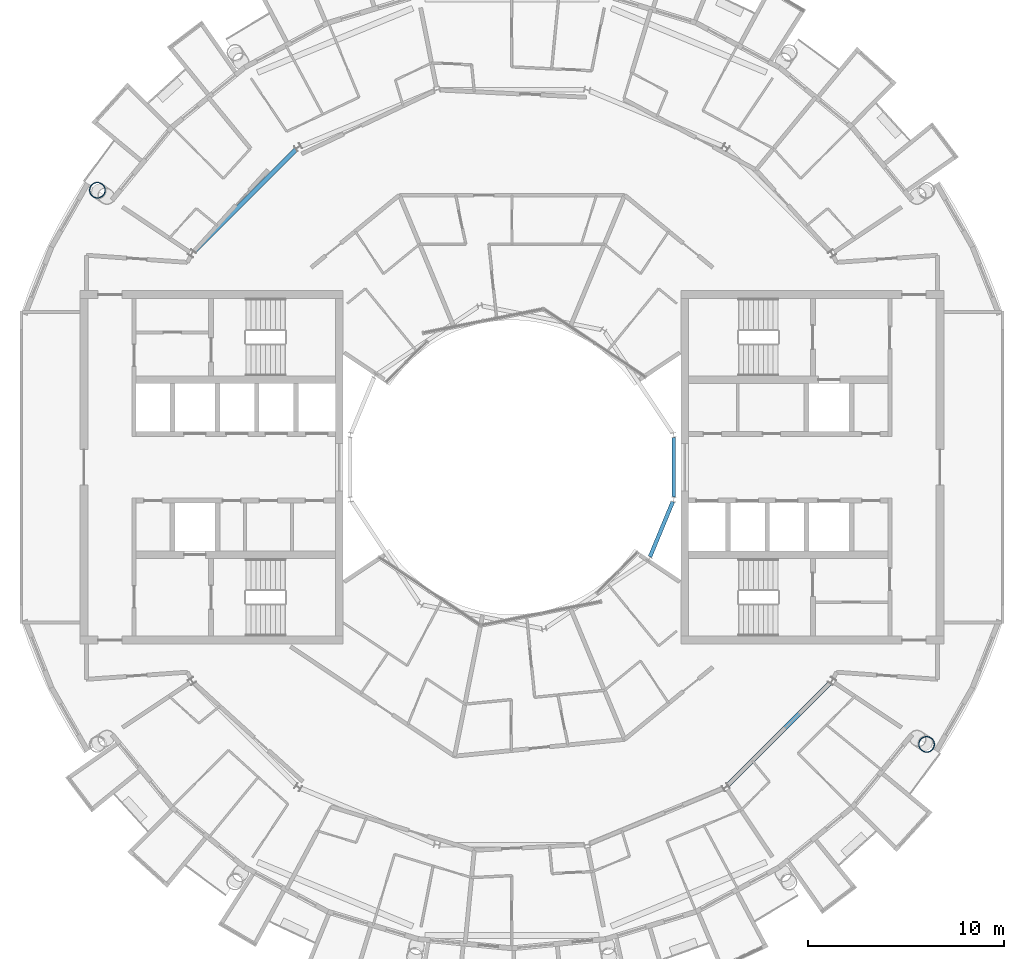
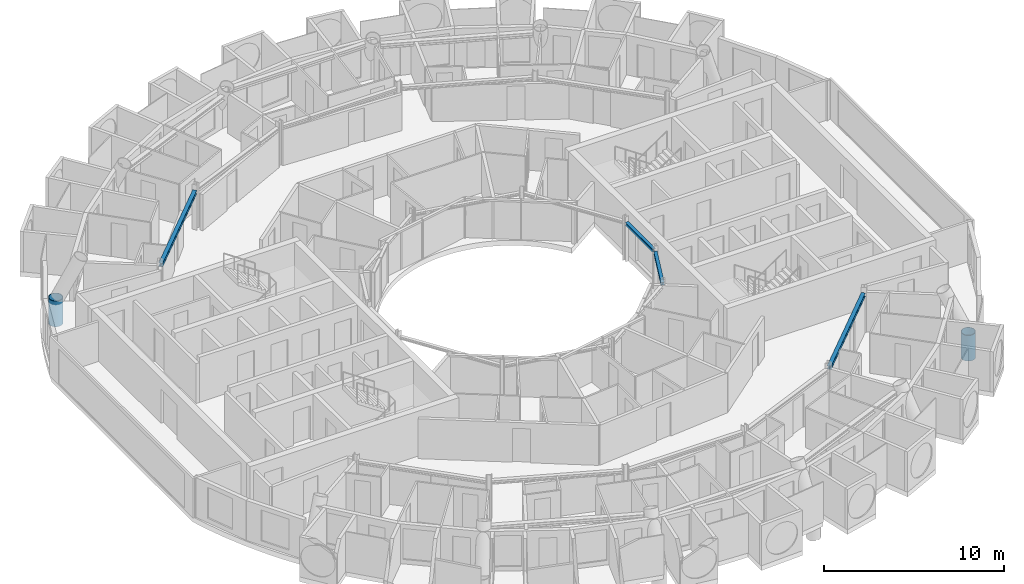
# One storey, part 8 of 27: 4 beams, 2 members.
"""IFC4 building model written with IfcOpenShell, lengths in metres."""

from ifc_helpers import new_model, si_unit, direction, frame, origin, origin_2d, place, context, subcontext, project, spatial, hollow_circle, i_section, extrude, material, material_profile, profile_set, type_object, element, save


model = new_model("IFC4")

# Units and contexts
model_context = context("Model", 3, precision=1e-05, world=origin(), true_north=direction((0.0, 1.0)))
body_context = subcontext(model_context, "Body", "Model", "MODEL_VIEW")
ifc_project = project(units=[si_unit("LENGTHUNIT", "METRE"), si_unit("AREAUNIT", "SQUARE_METRE"), si_unit("VOLUMEUNIT", "CUBIC_METRE"), si_unit("PLANEANGLEUNIT", "RADIAN"), si_unit("MASSUNIT", "GRAM", prefix="KILO")], contexts=[model_context])

# Site, building, storey
site_placement = place(None, origin())
site = spatial("IfcSite", under=ifc_project, at=site_placement, CompositionType="ELEMENT")
building_placement = place(site_placement, origin())
building = spatial("IfcBuilding", under=site, at=building_placement, Name="Maasbend Ring Residences", CompositionType="ELEMENT")
storey_placement = place(building_placement, frame((0.0, 0.0, 243.199951171875)))
storey = spatial("IfcBuildingStorey", under=building, at=storey_placement, Name="L70", CompositionType="ELEMENT", Elevation=243.199951171875)

# Members
ifc_material_1 = material(Name="Steel S460NH", Category="steel")
ifc_material_profile_1 = material_profile(ifc_material_1, hollow_circle(Radius=0.406494140625, WallThickness=0.030029296875, at=origin_2d()), Name="Column node insert CHS 813x30")
ifc_profile_set_1 = profile_set([ifc_material_profile_1], Name="Steel S460NH")
member_type = type_object("IfcMemberType", Name="Column node insert CHS 813x30", PredefinedType="POST", material=ifc_profile_set_1)
for number, where, z_axis, x_axis, name in (
    (1, (-21.119384765625, 14.111572265625, -1.5), (0.0, 0.0, 1.0), (1.0, 0.0, 0.0), "Column node insert R7"),
    (2, (21.119384765625, -14.111572265625, -1.5), (0.0, 0.0, 1.0), (1.0, 0.0, 0.0), "Column node insert R15"),
):
    element("IfcMember", number, at=place(storey_placement, frame(where, z_axis=z_axis, x_axis=x_axis)), inside=storey, type_object=member_type, Name=name, PredefinedType="POST", context=body_context, shape_type="SweptSolid", body=[
        extrude(hollow_circle(Radius=0.406494140625, WallThickness=0.030029296875, at=origin_2d()), origin(), (0.0, 0.0, 1.0), 1.741943359375),
    ])

# Beams
ifc_material_2 = material(Name="Steel S355J2", Category="steel")
ifc_material_profile_2 = material_profile(ifc_material_2, i_section(OverallWidth=0.239990234375, OverallDepth=0.22998046875, WebThickness=0.007568359375, FlangeThickness=0.011962890625, FilletRadius=0.02099609375, at=origin_2d()), Name="HEA 240")
ifc_profile_set_2 = profile_set([ifc_material_profile_2], Name="Steel S355J2")
beam_type_1 = type_object("IfcBeamType", Name="Corridor ring beam HEA 240", PredefinedType="BEAM", material=ifc_profile_set_2)
for number, where, z_axis, x_axis, name in (
    (3, (-10.997314453125, 16.188720703125, 2.5849609375), (-0.707106781187, -0.707106781187, 0.0), (0.707106781187, -0.707106781187, 0.0), "Corridor ring beam"),
    (4, (10.997314453125, -16.188720703125, 2.5849609375), (0.707106781187, 0.707106781187, 0.0), (-0.707106781187, 0.707106781187, 0.0), "Corridor ring beam"),
):
    element("IfcBeam", number, at=place(storey_placement, frame(where, z_axis=z_axis, x_axis=x_axis)), inside=storey, type_object=beam_type_1, Name=name, PredefinedType="BEAM", context=body_context, shape_type="SweptSolid", body=[
        extrude(i_section(OverallWidth=0.239990234375, OverallDepth=0.22998046875, WebThickness=0.007568359375, FlangeThickness=0.011962890625, FilletRadius=0.02099609375, at=origin_2d()), origin(), (0.0, 0.0, 1.0), 7.341796875),
    ])
ifc_material_3 = material(Name="Steel S355J2", Category="steel")
ifc_material_profile_3 = material_profile(ifc_material_3, i_section(OverallWidth=0.199951171875, OverallDepth=0.18994140625, WebThickness=0.006591796875, FlangeThickness=0.010009765625, FilletRadius=0.01806640625, at=origin_2d()), Name="HEA 200")
ifc_profile_set_3 = profile_set([ifc_material_profile_3], Name="Steel S355J2")
beam_type_2 = type_object("IfcBeamType", Name="Well edge beam HEA 200", PredefinedType="BEAM", material=ifc_profile_set_3)
for number, where, z_axis, x_axis, name in (
    (5, (7.029296875, -4.55859375, 2.60498046875), (0.382609241817, 0.923910259753, 0.0), (-0.923910259753, 0.382609241817, 0.0), "Well edge beam"),
    (6, (8.238525390625, -1.521484375, 2.60498046875), (0.0, 1.0, 0.0), (-1.0, 0.0, 0.0), "Well edge beam"),
):
    element("IfcBeam", number, at=place(storey_placement, frame(where, z_axis=z_axis, x_axis=x_axis)), inside=storey, type_object=beam_type_2, Name=name, PredefinedType="BEAM", context=body_context, shape_type="SweptSolid", body=[
        extrude(i_section(OverallWidth=0.199951171875, OverallDepth=0.18994140625, WebThickness=0.006591796875, FlangeThickness=0.010009765625, FilletRadius=0.01806640625, at=origin_2d()), origin(), (0.0, 0.0, 1.0), 3.04296875),
    ])

save(model, "model.ifc")
